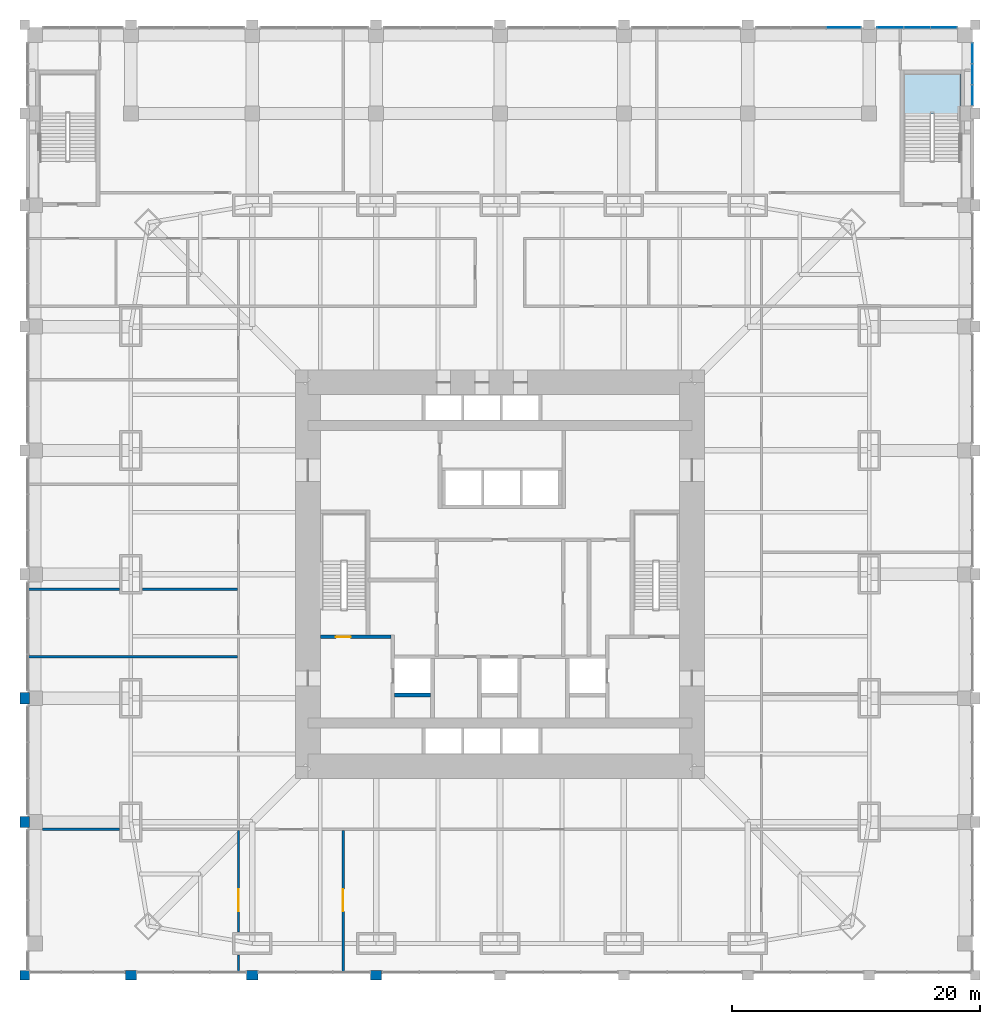
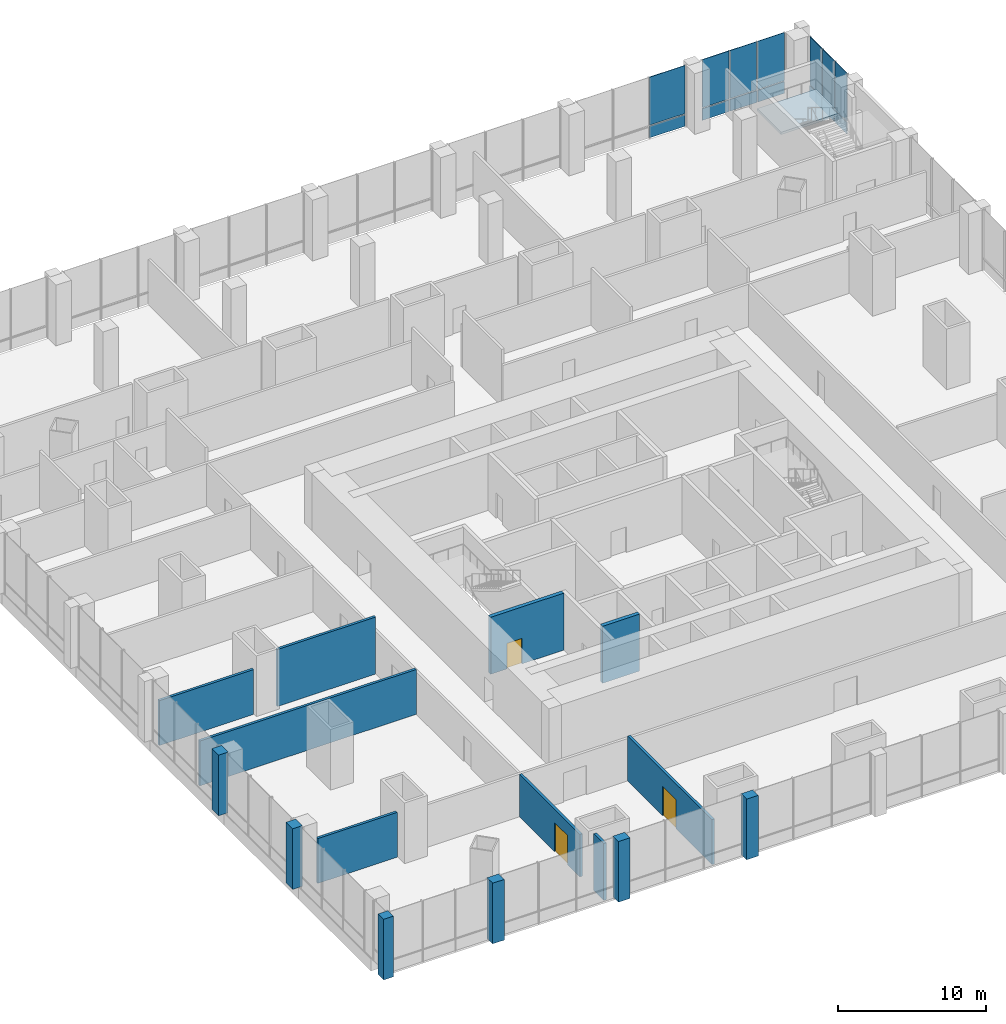
# One storey, part 16 of 24: 15 walls, 14 plates, 3 doors, 1 slab, 3 openings, 4 elements without a shape of their own.
"""IFC4 building model written with IfcOpenShell, lengths in metres."""

from ifc_helpers import new_model, si_unit, direction, frame, frame_2d, origin, origin_2d, place, context, subcontext, project, spatial, polyline, rectangle, outline, extrude, material, layer, layer_set, type_object, element, fill, aggregate, save


model = new_model("IFC4")

# Units and contexts
model_context = context("Model", 3, precision=1e-05, world=origin(), true_north=direction((0.0, 1.0)))
body_context = subcontext(model_context, "Body", "Model", "MODEL_VIEW")
ifc_project = project(units=[si_unit("LENGTHUNIT", "METRE"), si_unit("AREAUNIT", "SQUARE_METRE"), si_unit("VOLUMEUNIT", "CUBIC_METRE"), si_unit("PLANEANGLEUNIT", "RADIAN"), si_unit("MASSUNIT", "GRAM", prefix="KILO")], contexts=[model_context])

# Site, building, storey
site_placement = place(None, origin())
site = spatial("IfcSite", under=ifc_project, at=site_placement, CompositionType="ELEMENT")
building_placement = place(site_placement, origin())
building = spatial("IfcBuilding", under=site, at=building_placement, Name="Khuree Lantern Residences", CompositionType="ELEMENT")
storey_placement = place(building_placement, frame((0.0, 0.0, 11.0)))
storey = spatial("IfcBuildingStorey", under=building, at=storey_placement, Name="L02", CompositionType="ELEMENT", Elevation=11.0)

# Stair, slab
ifc_material_1 = material(Name="Concrete C40/50", Category="concrete")
stair_type = type_object("IfcStairType", Name="STAIR ST3 HALF TURN 4600", PredefinedType="HALF_TURN_STAIR", material=ifc_material_1)
stair_placement = place(storey_placement, origin())
stair = element("IfcStair", 1, at=stair_placement, inside=storey, type_object=stair_type, Name="Stair ST4", PredefinedType="HALF_TURN_STAIR")
ifc_layer_1 = layer(ifc_material_1, 0.199951171875)
ifc_layer_set_1 = layer_set([ifc_layer_1], Name="STAIR LANDING SL1 200")
slab_type = type_object("IfcSlabType", Name="STAIR LANDING SL1 200", PredefinedType="LANDING", material=ifc_layer_set_1)
slab_placement = place(storey_placement, frame((0.0, 0.0, 2.300048828125)))
slab = element("IfcSlab", 2, at=slab_placement, type_object=slab_type, Name="ST4 landing 2", PredefinedType="LANDING", context=body_context, shape_type="SweptSolid", body=[
    extrude(outline(polyline([(37.199951171875, 40.39990234375), (37.199951171875, 37.159912109375), (32.60009765625, 37.159912109375), (32.60009765625, 40.39990234375), (37.199951171875, 40.39990234375)])), origin(), (0.0, 0.0, 1.0), 0.199951171875),
])
aggregate(stair, [slab])

# Curtain wall, plates
ifc_material_2 = material(Name="Bronze anodised aluminium", Category="aluminium")
curtain_wall_type = type_object("IfcCurtainWallType", Name="CW-P PODIUM STOREFRONT CURTAIN WALL", PredefinedType="USERDEFINED", material=ifc_material_2)
curtain_wall_1_placement = place(storey_placement, origin())
curtain_wall_1 = element("IfcCurtainWall", 3, at=curtain_wall_1_placement, inside=storey, type_object=curtain_wall_type, Name="L02 EAST FACE BAY 8 STOREFRONT", ObjectType="Storefront curtain wall", PredefinedType="USERDEFINED")
ifc_material_3 = material(Name="Bronze tinted laminated triple glazing", Category="glass")
ifc_layer_2 = layer(ifc_material_3, 0.0400390625)
ifc_layer_set_2 = layer_set([ifc_layer_2], Name="STOREFRONT GLASS PANEL P9")
plate_type_1 = type_object("IfcPlateType", Name="STOREFRONT GLASS PANEL P9", PredefinedType="CURTAIN_PANEL", material=ifc_layer_set_2)
plate_1_placement = place(storey_placement, frame((38.14990234375, 38.683349609375, 1.03759765625), z_axis=(0.0, 0.0, 1.0), x_axis=(0.0, 1.0, 0.0)))
plate_1 = element("IfcPlate", 4, at=plate_1_placement, type_object=plate_type_1, Name="L02 EAST FACE BAY 8 PANEL 1.2", PredefinedType="CURTAIN_PANEL", context=body_context, shape_type="SweptSolid", body=[
    extrude(rectangle(XDim=1.61669921875, YDim=0.0400390625, at=origin_2d()), origin(), (0.0, 0.0, 1.0), 3.96240234375),
])
plate_2_placement = place(storey_placement, frame((38.14990234375, 40.375, 1.03759765625), z_axis=(0.0, 0.0, 1.0), x_axis=(0.0, 1.0, 0.0)))
plate_2 = element("IfcPlate", 5, at=plate_2_placement, type_object=plate_type_1, Name="L02 EAST FACE BAY 8 PANEL 2.2", PredefinedType="CURTAIN_PANEL", context=body_context, shape_type="SweptSolid", body=[
    extrude(rectangle(XDim=1.61669921875, YDim=0.0400390625, at=origin_2d()), origin(), (0.0, 0.0, 1.0), 3.96240234375),
])
plate_3_placement = place(storey_placement, frame((38.14990234375, 42.066650390625, 1.03759765625), z_axis=(0.0, 0.0, 1.0), x_axis=(0.0, 1.0, 0.0)))
plate_3 = element("IfcPlate", 6, at=plate_3_placement, type_object=plate_type_1, Name="L02 EAST FACE BAY 8 PANEL 3.2", PredefinedType="CURTAIN_PANEL", context=body_context, shape_type="SweptSolid", body=[
    extrude(rectangle(XDim=1.61669921875, YDim=0.0400390625, at=origin_2d()), origin(), (0.0, 0.0, 1.0), 3.96240234375),
])

curtain_wall_2_placement = place(storey_placement, origin())
curtain_wall_2 = element("IfcCurtainWall", 7, at=curtain_wall_2_placement, inside=storey, type_object=curtain_wall_type, Name="L02 NORTH FACE BAY 1 STOREFRONT", ObjectType="Storefront curtain wall", PredefinedType="USERDEFINED")
plate_4_placement = place(storey_placement, frame((35.833251953125, 44.14990234375, 1.03759765625), z_axis=(0.0, 0.0, 1.0), x_axis=(-1.0, 0.0, 0.0)))
plate_4 = element("IfcPlate", 8, at=plate_4_placement, type_object=plate_type_1, Name="L02 NORTH FACE BAY 1 PANEL 1.2", PredefinedType="CURTAIN_PANEL", context=body_context, shape_type="SweptSolid", body=[
    extrude(rectangle(XDim=2.083251953125, YDim=0.0400390625, at=origin_2d()), origin(), (0.0, 0.0, 1.0), 3.96240234375),
])
plate_5_placement = place(storey_placement, frame((33.675048828125, 44.14990234375, 1.03759765625), z_axis=(0.0, 0.0, 1.0), x_axis=(-1.0, 0.0, 0.0)))
plate_5 = element("IfcPlate", 9, at=plate_5_placement, type_object=plate_type_1, Name="L02 NORTH FACE BAY 1 PANEL 2.2", PredefinedType="CURTAIN_PANEL", context=body_context, shape_type="SweptSolid", body=[
    extrude(rectangle(XDim=2.083251953125, YDim=0.0400390625, at=origin_2d()), origin(), (0.0, 0.0, 1.0), 3.96240234375),
])
plate_6_placement = place(storey_placement, frame((31.5166015625, 44.14990234375, 1.03759765625), z_axis=(0.0, 0.0, 1.0), x_axis=(-1.0, 0.0, 0.0)))
plate_6 = element("IfcPlate", 10, at=plate_6_placement, type_object=plate_type_1, Name="L02 NORTH FACE BAY 1 PANEL 3.2", PredefinedType="CURTAIN_PANEL", context=body_context, shape_type="SweptSolid", body=[
    extrude(rectangle(XDim=2.083251953125, YDim=0.0400390625, at=origin_2d()), origin(), (0.0, 0.0, 1.0), 3.96240234375),
])

# Curtain wall, plate
curtain_wall_3_placement = place(storey_placement, origin())
curtain_wall_3 = element("IfcCurtainWall", 11, at=curtain_wall_3_placement, inside=storey, type_object=curtain_wall_type, Name="L02 NORTH FACE BAY 2 STOREFRONT", ObjectType="Storefront curtain wall", PredefinedType="USERDEFINED")
plate_7_placement = place(storey_placement, frame((27.74169921875, 44.14990234375, 1.03759765625), z_axis=(0.0, 0.0, 1.0), x_axis=(-1.0, 0.0, 0.0)))
plate_7 = element("IfcPlate", 12, at=plate_7_placement, type_object=plate_type_1, Name="L02 NORTH FACE BAY 2 PANEL 1.2", PredefinedType="CURTAIN_PANEL", context=body_context, shape_type="SweptSolid", body=[
    extrude(rectangle(XDim=2.7666015625, YDim=0.0400390625, at=origin_2d()), origin(), (0.0, 0.0, 1.0), 3.96240234375),
])

# Plate
ifc_material_4 = material(Name="Bronze anodised aluminium insulated spandrel", Category="aluminium")
ifc_layer_3 = layer(ifc_material_4, 0.06005859375)
ifc_layer_set_3 = layer_set([ifc_layer_3], Name="STOREFRONT SPANDREL PANEL P10")
plate_type_2 = type_object("IfcPlateType", Name="STOREFRONT SPANDREL PANEL P10", PredefinedType="CURTAIN_PANEL", material=ifc_layer_set_3)
plate_8_placement = place(storey_placement, frame((38.14990234375, 38.683349609375, 0.0), z_axis=(0.0, 0.0, 1.0), x_axis=(0.0, 1.0, 0.0)))
plate_8 = element("IfcPlate", 13, at=plate_8_placement, type_object=plate_type_2, Name="L02 EAST FACE BAY 8 PANEL 1.1", PredefinedType="CURTAIN_PANEL", context=body_context, shape_type="SweptSolid", body=[
    extrude(rectangle(XDim=1.61669921875, YDim=0.06005859375, at=origin_2d()), origin(), (0.0, 0.0, 1.0), 0.96240234375),
])

plate_9_placement = place(storey_placement, frame((38.14990234375, 40.375, 0.0), z_axis=(0.0, 0.0, 1.0), x_axis=(0.0, 1.0, 0.0)))
plate_9 = element("IfcPlate", 14, at=plate_9_placement, type_object=plate_type_2, Name="L02 EAST FACE BAY 8 PANEL 2.1", PredefinedType="CURTAIN_PANEL", context=body_context, shape_type="SweptSolid", body=[
    extrude(rectangle(XDim=1.61669921875, YDim=0.06005859375, at=origin_2d()), origin(), (0.0, 0.0, 1.0), 0.96240234375),
])

plate_10_placement = place(storey_placement, frame((38.14990234375, 42.066650390625, 0.0), z_axis=(0.0, 0.0, 1.0), x_axis=(0.0, 1.0, 0.0)))
plate_10 = element("IfcPlate", 15, at=plate_10_placement, type_object=plate_type_2, Name="L02 EAST FACE BAY 8 PANEL 3.1", PredefinedType="CURTAIN_PANEL", context=body_context, shape_type="SweptSolid", body=[
    extrude(rectangle(XDim=1.61669921875, YDim=0.06005859375, at=origin_2d()), origin(), (0.0, 0.0, 1.0), 0.96240234375),
])

aggregate(curtain_wall_1, [plate_8, plate_1, plate_9, plate_2, plate_10, plate_3])

plate_11_placement = place(storey_placement, frame((35.833251953125, 44.14990234375, 0.0), z_axis=(0.0, 0.0, 1.0), x_axis=(-1.0, 0.0, 0.0)))
plate_11 = element("IfcPlate", 16, at=plate_11_placement, type_object=plate_type_2, Name="L02 NORTH FACE BAY 1 PANEL 1.1", PredefinedType="CURTAIN_PANEL", context=body_context, shape_type="SweptSolid", body=[
    extrude(rectangle(XDim=2.083251953125, YDim=0.06005859375, at=origin_2d()), origin(), (0.0, 0.0, 1.0), 0.96240234375),
])

plate_12_placement = place(storey_placement, frame((33.675048828125, 44.14990234375, 0.0), z_axis=(0.0, 0.0, 1.0), x_axis=(-1.0, 0.0, 0.0)))
plate_12 = element("IfcPlate", 17, at=plate_12_placement, type_object=plate_type_2, Name="L02 NORTH FACE BAY 1 PANEL 2.1", PredefinedType="CURTAIN_PANEL", context=body_context, shape_type="SweptSolid", body=[
    extrude(rectangle(XDim=2.083251953125, YDim=0.06005859375, at=origin_2d()), origin(), (0.0, 0.0, 1.0), 0.96240234375),
])

plate_13_placement = place(storey_placement, frame((31.5166015625, 44.14990234375, 0.0), z_axis=(0.0, 0.0, 1.0), x_axis=(-1.0, 0.0, 0.0)))
plate_13 = element("IfcPlate", 18, at=plate_13_placement, type_object=plate_type_2, Name="L02 NORTH FACE BAY 1 PANEL 3.1", PredefinedType="CURTAIN_PANEL", context=body_context, shape_type="SweptSolid", body=[
    extrude(rectangle(XDim=2.083251953125, YDim=0.06005859375, at=origin_2d()), origin(), (0.0, 0.0, 1.0), 0.96240234375),
])

aggregate(curtain_wall_2, [plate_11, plate_4, plate_12, plate_5, plate_13, plate_6])

plate_14_placement = place(storey_placement, frame((27.74169921875, 44.14990234375, 0.0), z_axis=(0.0, 0.0, 1.0), x_axis=(-1.0, 0.0, 0.0)))
plate_14 = element("IfcPlate", 19, at=plate_14_placement, type_object=plate_type_2, Name="L02 NORTH FACE BAY 2 PANEL 1.1", PredefinedType="CURTAIN_PANEL", context=body_context, shape_type="SweptSolid", body=[
    extrude(rectangle(XDim=2.7666015625, YDim=0.06005859375, at=origin_2d()), origin(), (0.0, 0.0, 1.0), 0.96240234375),
])

aggregate(curtain_wall_3, [plate_14, plate_7])

# Walls
ifc_material_5 = material(Name="Dense concrete blockwork", Category="masonry")
ifc_layer_4 = layer(ifc_material_5, 0.300048828125)
ifc_layer_set_4 = layer_set([ifc_layer_4], Name="CORE PARTITION WALL CPW300 EI 120")
wall_type_1 = type_object("IfcWallType", Name="CORE PARTITION WALL CPW300 EI 120", PredefinedType="PARTITIONING", material=ifc_layer_set_4)
wall_1_placement = place(storey_placement, frame((-8.5, -9.75, 0.0), z_axis=(0.0, 0.0, 1.0), x_axis=(1.0, 0.0, 0.0)))
element("IfcWall", 20, at=wall_1_placement, inside=storey, type_object=wall_type_1, Name="L02 CORE WALL FL1S", PredefinedType="PARTITIONING", context=body_context, shape_type="SweptSolid", body=[
    extrude(rectangle(XDim=2.89990234375, YDim=0.300048828125, at=frame_2d((1.449951171875, 0.0))), origin(), (0.0, 0.0, 1.0), 4.699951171875),
])
ifc_material_6 = material(Name="Flamed granite cladding on blockwork", Category="masonry")
ifc_layer_5 = layer(ifc_material_6, 0.75)
ifc_layer_set_5 = layer_set([ifc_layer_5], Name="PODIUM PIER PR1 900X750")
wall_type_2 = type_object("IfcWallType", Name="PODIUM PIER PR1 900X750", PredefinedType="SOLIDWALL", material=ifc_layer_set_5)
for number, where, z_axis, x_axis, name in (
    (21, (-30.25, -32.375, 0.0), (0.0, 0.0, 1.0), (1.0, 0.0, 0.0), "L02 SOUTH FACE PIER 1"),
    (22, (-20.449951171875, -32.375, 0.0), (0.0, 0.0, 1.0), (1.0, 0.0, 0.0), "L02 SOUTH FACE PIER 2"),
    (23, (-10.449951171875, -32.375, 0.0), (0.0, 0.0, 1.0), (1.0, 0.0, 0.0), "L02 SOUTH FACE PIER 3"),
    (24, (-38.375, -9.550048828125, 0.0), (0.0, 0.0, 1.0), (0.0, -1.0, 0.0), "L02 WEST FACE PIER 6"),
    (25, (-38.375, -19.550048828125, 0.0), (0.0, 0.0, 1.0), (0.0, -1.0, 0.0), "L02 WEST FACE PIER 7"),
):
    element("IfcWall", number, at=place(storey_placement, frame(where, z_axis=z_axis, x_axis=x_axis)), inside=storey, type_object=wall_type_2, Name=name, PredefinedType="SOLIDWALL", context=body_context, shape_type="SweptSolid", body=[
        extrude(rectangle(XDim=0.89990234375, YDim=0.75, at=frame_2d((0.449951171875, 0.0))), origin(), (0.0, 0.0, 1.0), 5.0),
    ])
wall_2_placement = place(storey_placement, frame((-38.375, -32.0, 0.0), z_axis=(0.0, 0.0, 1.0), x_axis=(0.0, -1.0, 0.0)))
element("IfcWall", 26, at=wall_2_placement, inside=storey, type_object=wall_type_2, Name="L02 WEST FACE PIER 8", PredefinedType="SOLIDWALL", context=body_context, shape_type="SweptSolid", body=[
    extrude(rectangle(XDim=0.75, YDim=0.75, at=frame_2d((0.375, 0.0))), origin(), (0.0, 0.0, 1.0), 5.0),
])
ifc_layer_6 = layer(ifc_material_5, 0.199951171875)
ifc_layer_set_6 = layer_set([ifc_layer_6], Name="ROOM WALL RMW200")
wall_type_3 = type_object("IfcWallType", Name="ROOM WALL RMW200", PredefinedType="SOLIDWALL", material=ifc_layer_set_6)
wall_3_placement = place(storey_placement, frame((-21.111083984375, -32.074951171875, 0.0), z_axis=(0.0, 0.0, 1.0), x_axis=(0.0, 1.0, 0.0)))
element("IfcWall", 27, at=wall_3_placement, inside=storey, type_object=wall_type_3, Name="L02 ROOM WALL 1", PredefinedType="SOLIDWALL", context=body_context, shape_type="SweptSolid", body=[
    extrude(rectangle(XDim=1.344970703125, YDim=0.199951171875, at=frame_2d((0.67236328125, 0.0))), origin(), (0.0, 0.0, 1.0), 4.699951171875),
])

# Wall, opening, door
wall_4_placement = place(storey_placement, frame((-12.6669921875, -32.074951171875, 0.0), z_axis=(0.0, 0.0, 1.0), x_axis=(0.0, 1.0, 0.0)))
wall_4 = element("IfcWall", 28, at=wall_4_placement, inside=storey, type_object=wall_type_3, Name="L02 ROOM WALL 2", PredefinedType="SOLIDWALL", context=body_context, shape_type="SweptSolid", body=[
    extrude(rectangle(XDim=11.384033203125, YDim=0.199951171875, at=frame_2d((5.69189453125, 0.0))), origin(), (0.0, 0.0, 1.0), 3.699951171875),
])
opening_1_placement = place(wall_4_placement, frame((4.869384765625, 0.0, 0.0)))
opening_1 = element("IfcOpeningElement", 29, at=opening_1_placement, cuts=wall_4, Name="Opening 02-026", PredefinedType="OPENING", context=body_context, shape_type="SweptSolid", body=[
    extrude(rectangle(XDim=1.800048828125, YDim=2.39990234375, at=frame_2d((0.89990234375, 1.199951171875))), frame((0.0, 0.10986328125, 0.0), z_axis=(0.0, -1.0, 0.0), x_axis=(1.0, 0.0, 0.0)), (0.0, 0.0, 1.0), 0.219970703125),
])
ifc_material_7 = material(Name="Timber door leaf in hardwood frame", Category="wood")
door_type_1 = type_object("IfcDoorType", Name="DOUBLE DOOR 1800X2400", OperationType="DOUBLE_DOOR_SINGLE_SWING", PredefinedType="DOOR", material=ifc_material_7)
door_1_placement = place(opening_1_placement, origin())
door_1 = element("IfcDoor", 30, at=door_1_placement, inside=storey, type_object=door_type_1, Name="Banquet hall door 02-026", OperationType="DOUBLE_DOOR_SINGLE_SWING", OverallHeight=2.39990234375, OverallWidth=1.800048828125, PredefinedType="DOOR", context=body_context, shape_type="SweptSolid", body=[
    extrude(rectangle(XDim=1.800048828125, YDim=2.39990234375, at=frame_2d((0.89990234375, 1.199951171875))), frame((0.0, 0.02490234375, 0.0), z_axis=(0.0, -1.0, 0.0), x_axis=(1.0, 0.0, 0.0)), (0.0, 0.0, 1.0), 0.050048828125),
])
fill(opening_1, door_1)

wall_5_placement = place(storey_placement, frame((-21.111083984375, -28.869873046875, 0.0), z_axis=(0.0, 0.0, 1.0), x_axis=(0.0, 1.0, 0.0)))
wall_5 = element("IfcWall", 31, at=wall_5_placement, inside=storey, type_object=wall_type_3, Name="L02 ROOM WALL 4", PredefinedType="SOLIDWALL", context=body_context, shape_type="SweptSolid", body=[
    extrude(rectangle(XDim=8.178955078125, YDim=0.199951171875, at=frame_2d((4.08935546875, 0.0))), origin(), (0.0, 0.0, 1.0), 3.5),
])
opening_2_placement = place(wall_5_placement, frame((1.664306640625, 0.0, 0.0)))
opening_2 = element("IfcOpeningElement", 32, at=opening_2_placement, cuts=wall_5, Name="Opening 02-023", PredefinedType="OPENING", context=body_context, shape_type="SweptSolid", body=[
    extrude(rectangle(XDim=1.800048828125, YDim=2.39990234375, at=frame_2d((0.89990234375, 1.199951171875))), frame((0.0, 0.10986328125, 0.0), z_axis=(0.0, -1.0, 0.0), x_axis=(1.0, 0.0, 0.0)), (0.0, 0.0, 1.0), 0.219970703125),
])
door_2_placement = place(opening_2_placement, origin())
door_2 = element("IfcDoor", 33, at=door_2_placement, inside=storey, type_object=door_type_1, Name="Function room door 02-023", OperationType="DOUBLE_DOOR_SINGLE_SWING", OverallHeight=2.39990234375, OverallWidth=1.800048828125, PredefinedType="DOOR", context=body_context, shape_type="SweptSolid", body=[
    extrude(rectangle(XDim=1.800048828125, YDim=2.39990234375, at=frame_2d((0.89990234375, 1.199951171875))), frame((0.0, 0.02490234375, 0.0), z_axis=(0.0, -1.0, 0.0), x_axis=(1.0, 0.0, 0.0)), (0.0, 0.0, 1.0), 0.050048828125),
])
fill(opening_2, door_2)

# Walls
wall_6_placement = place(storey_placement, frame((-36.919921875, -20.591064453125, 0.0), z_axis=(0.0, 0.0, 1.0), x_axis=(1.0, 0.0, 0.0)))
element("IfcWall", 34, at=wall_6_placement, inside=storey, type_object=wall_type_3, Name="L02 ROOM WALL 6", PredefinedType="SOLIDWALL", context=body_context, shape_type="SweptSolid", body=[
    extrude(rectangle(XDim=6.18994140625, YDim=0.199951171875, at=frame_2d((3.094970703125, 0.0))), origin(), (0.0, 0.0, 1.0), 3.699951171875),
])
wall_7_placement = place(storey_placement, frame((-38.074951171875, -6.6669921875, 0.0), z_axis=(0.0, 0.0, 1.0), x_axis=(1.0, 0.0, 0.0)))
element("IfcWall", 35, at=wall_7_placement, inside=storey, type_object=wall_type_3, Name="L02 ROOM WALL 13", PredefinedType="SOLIDWALL", context=body_context, shape_type="SweptSolid", body=[
    extrude(rectangle(XDim=16.864013671875, YDim=0.199951171875, at=frame_2d((8.43212890625, 0.0))), origin(), (0.0, 0.0, 1.0), 3.699951171875),
])
wall_8_placement = place(storey_placement, frame((-38.074951171875, -1.18701171875, 0.0), z_axis=(0.0, 0.0, 1.0), x_axis=(1.0, 0.0, 0.0)))
element("IfcWall", 36, at=wall_8_placement, inside=storey, type_object=wall_type_3, Name="L02 ROOM WALL 14", PredefinedType="SOLIDWALL", context=body_context, shape_type="SweptSolid", body=[
    extrude(rectangle(XDim=7.344970703125, YDim=0.199951171875, at=frame_2d((3.67236328125, 0.0))), origin(), (0.0, 0.0, 1.0), 3.699951171875),
])
wall_9_placement = place(storey_placement, frame((-28.869873046875, -1.18701171875, 0.0), z_axis=(0.0, 0.0, 1.0), x_axis=(1.0, 0.0, 0.0)))
element("IfcWall", 37, at=wall_9_placement, inside=storey, type_object=wall_type_3, Name="L02 ROOM WALL 15", PredefinedType="SOLIDWALL", context=body_context, shape_type="SweptSolid", body=[
    extrude(rectangle(XDim=7.658935546875, YDim=0.199951171875, at=frame_2d((3.82958984375, 0.0))), origin(), (0.0, 0.0, 1.0), 4.699951171875),
])

# Wall, opening, door
ifc_material_8 = material(Name="Concrete C50/60", Category="concrete")
ifc_layer_7 = layer(ifc_material_8, 0.300048828125)
ifc_layer_set_7 = layer_set([ifc_layer_7], Name="STAIR WALL SRW300 C50/60 REI 240")
wall_type_4 = type_object("IfcWallType", Name="STAIR WALL SRW300 C50/60 REI 240", PredefinedType="SOLIDWALL", material=ifc_layer_set_7)
wall_10_placement = place(storey_placement, frame((-14.5, -5.050048828125, 0.0), z_axis=(0.0, 0.0, 1.0), x_axis=(1.0, 0.0, 0.0)))
wall_10 = element("IfcWall", 38, at=wall_10_placement, inside=storey, type_object=wall_type_4, Name="L02 STAIR WALL ST1S", PredefinedType="SOLIDWALL", context=body_context, shape_type="SweptSolid", body=[
    extrude(rectangle(XDim=5.699951171875, YDim=0.300048828125, at=frame_2d((2.85009765625, 0.0))), origin(), (0.0, 0.0, 1.0), 4.699951171875),
])
opening_3_placement = place(wall_10_placement, frame((1.25, 0.0, 0.0)))
opening_3 = element("IfcOpeningElement", 39, at=opening_3_placement, cuts=wall_10, Name="Opening 02-001", PredefinedType="OPENING", context=body_context, shape_type="SweptSolid", body=[
    extrude(rectangle(XDim=1.199951171875, YDim=2.10009765625, at=frame_2d((0.60009765625, 1.050048828125))), frame((0.0, 0.16015625, 0.0), z_axis=(0.0, -1.0, 0.0), x_axis=(1.0, 0.0, 0.0)), (0.0, 0.0, 1.0), 0.320068359375),
])
ifc_material_9 = material(Name="Steel door leaf in steel frame", Category="steel")
door_type_2 = type_object("IfcDoorType", Name="STAIR DOOR 1200X2100 EI 120", OperationType="SINGLE_SWING_LEFT", PredefinedType="DOOR", material=ifc_material_9)
door_3_placement = place(opening_3_placement, origin())
door_3 = element("IfcDoor", 40, at=door_3_placement, inside=storey, type_object=door_type_2, Name="Stair ST1 door 02-001", OperationType="SINGLE_SWING_LEFT", OverallHeight=2.10009765625, OverallWidth=1.199951171875, PredefinedType="DOOR", context=body_context, shape_type="SweptSolid", body=[
    extrude(rectangle(XDim=1.199951171875, YDim=2.10009765625, at=frame_2d((0.60009765625, 1.050048828125))), frame((0.0, 0.02490234375, 0.0), z_axis=(0.0, -1.0, 0.0), x_axis=(1.0, 0.0, 0.0)), (0.0, 0.0, 1.0), 0.050048828125),
])
fill(opening_3, door_3)

save(model, "model.ifc")
